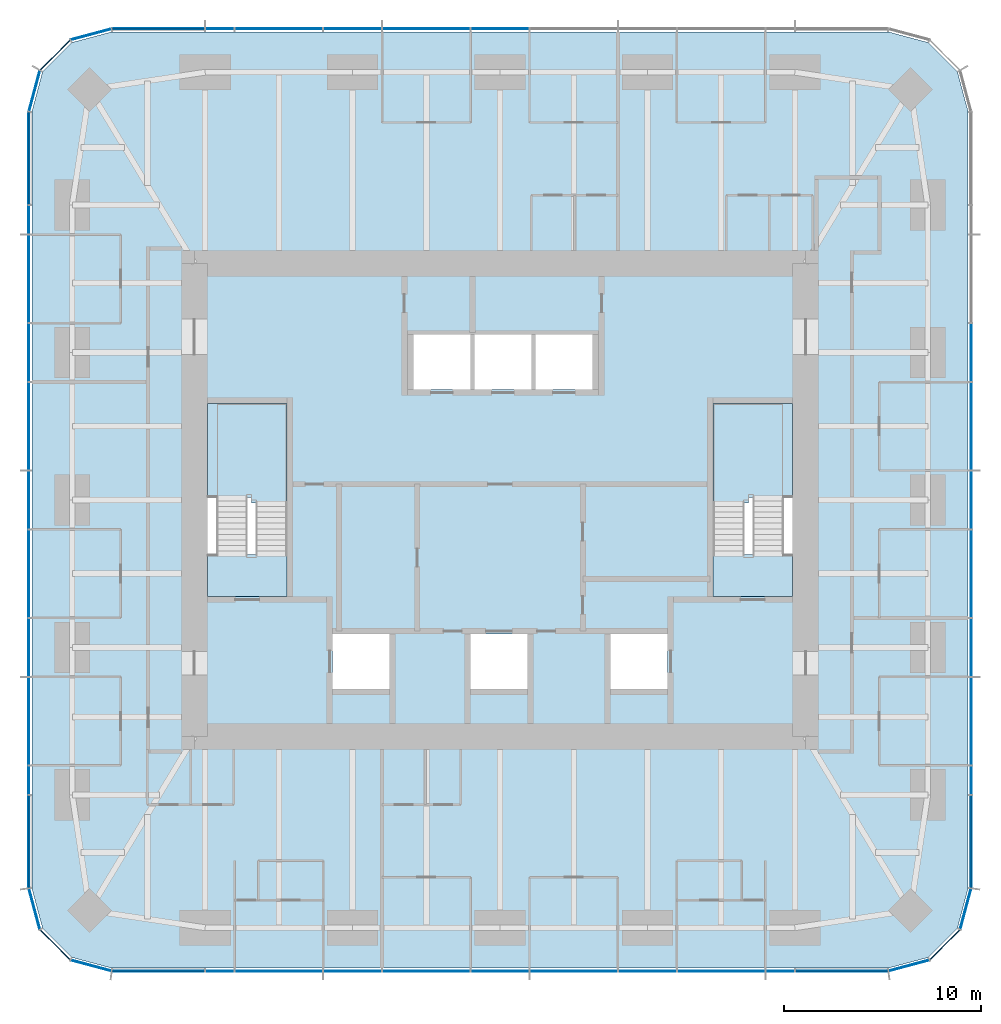
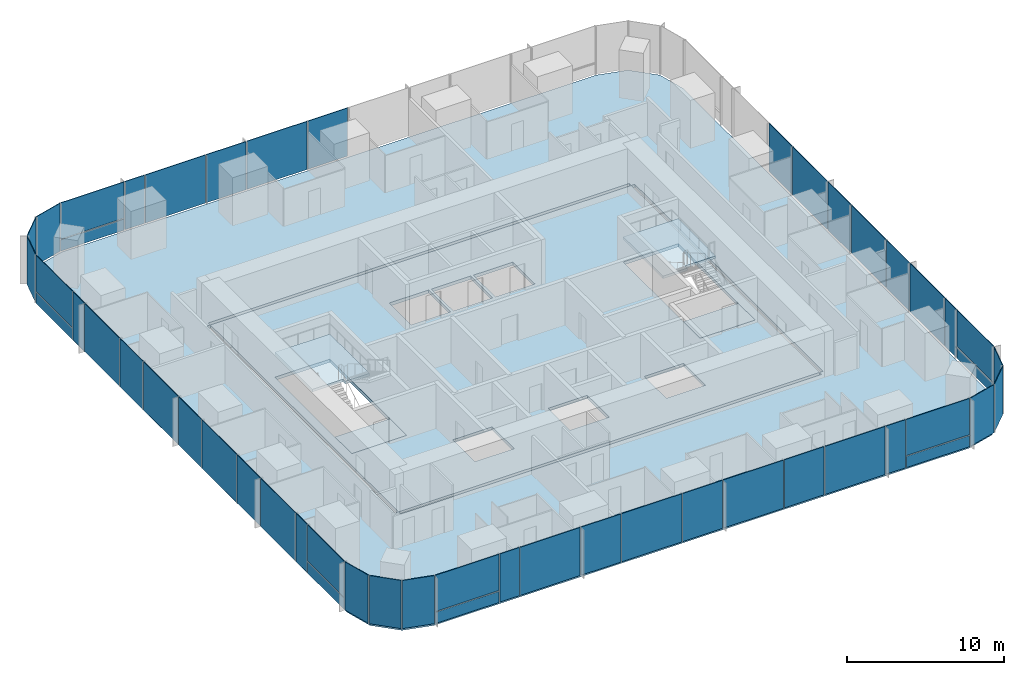
# One storey, part 7 of 12: 51 plates, 6 slabs, 9 elements without a shape of their own.
"""IFC4 building model written with IfcOpenShell, lengths in metres."""

from ifc_helpers import new_model, si_unit, direction, frame, origin, origin_2d, place, context, subcontext, project, spatial, polyline, rectangle, outline, extrude, material, layer, layer_set, type_object, element, aggregate, save


model = new_model("IFC4")

# Units and contexts
model_context = context("Model", 3, precision=1e-05, world=origin(), true_north=direction((0.0, 1.0)))
body_context = subcontext(model_context, "Body", "Model", "MODEL_VIEW")
ifc_project = project(units=[si_unit("LENGTHUNIT", "METRE"), si_unit("AREAUNIT", "SQUARE_METRE"), si_unit("VOLUMEUNIT", "CUBIC_METRE"), si_unit("PLANEANGLEUNIT", "RADIAN"), si_unit("MASSUNIT", "GRAM", prefix="KILO")], contexts=[model_context])

# Site, building, storey
site_placement = place(None, origin())
site = spatial("IfcSite", under=ifc_project, at=site_placement, CompositionType="ELEMENT")
building_placement = place(site_placement, origin())
building = spatial("IfcBuilding", under=site, at=building_placement, Name="Khuree Lantern Residences", CompositionType="ELEMENT")
storey_placement = place(building_placement, frame((0.0, 0.0, 289.5)))
storey = spatial("IfcBuildingStorey", under=building, at=storey_placement, Name="L72", CompositionType="ELEMENT", Elevation=289.5)

# Slab
ifc_material_1 = material(Name="Concrete C35/45", Category="concrete")
ifc_layer_1 = layer(ifc_material_1, 0.25)
ifc_layer_set_1 = layer_set([ifc_layer_1], Name="CFL250 CORE FLOOR SLAB 250")
slab_type_1 = type_object("IfcSlabType", Name="CFL250 CORE FLOOR SLAB 250", PredefinedType="FLOOR", material=ifc_layer_set_1)
slab_1_placement = place(storey_placement, frame((0.0, 0.0, -0.25)))
element("IfcSlab", 1, at=slab_1_placement, inside=storey, type_object=slab_type_1, Name="Core floor L72", PredefinedType="FLOOR", context=body_context, shape_type="SweptSolid", body=[
    extrude(outline(polyline([(-15.5, -12.0), (-15.5, 12.0), (15.5, 12.0), (15.5, -12.0), (-15.5, -12.0)]), holes=[polyline([(10.800048828125, 4.89990234375), (10.800048828125, -4.89990234375), (14.85009765625, -4.89990234375), (14.85009765625, 4.89990234375), (10.800048828125, 4.89990234375)]), polyline([(5.60009765625, -6.800048828125), (5.60009765625, -9.60009765625), (8.5, -9.60009765625), (8.5, -6.800048828125), (5.60009765625, -6.800048828125)]), polyline([(1.800048828125, 8.39990234375), (1.800048828125, 5.60009765625), (4.699951171875, 5.60009765625), (4.699951171875, 8.39990234375), (1.800048828125, 8.39990234375)]), polyline([(-1.300048828125, 8.39990234375), (-1.300048828125, 5.60009765625), (1.60009765625, 5.60009765625), (1.60009765625, 8.39990234375), (-1.300048828125, 8.39990234375)]), polyline([(-1.5, -6.800048828125), (-1.5, -9.60009765625), (1.39990234375, -9.60009765625), (1.39990234375, -6.800048828125), (-1.5, -6.800048828125)]), polyline([(-4.39990234375, 8.39990234375), (-4.39990234375, 5.60009765625), (-1.5, 5.60009765625), (-1.5, 8.39990234375), (-4.39990234375, 8.39990234375)]), polyline([(-8.5, -6.800048828125), (-8.5, -9.60009765625), (-5.60009765625, -9.60009765625), (-5.60009765625, -6.800048828125), (-8.5, -6.800048828125)]), polyline([(-14.85009765625, 4.89990234375), (-14.85009765625, -4.89990234375), (-10.800048828125, -4.89990234375), (-10.800048828125, 4.89990234375), (-14.85009765625, 4.89990234375)])]), origin(), (0.0, 0.0, 1.0), 0.25),
])

# Curtain wall, plates
ifc_material_2 = material(Name="Bronze anodised aluminium", Category="aluminium")
curtain_wall_type_1 = type_object("IfcCurtainWallType", Name="CW-T2 TOWER CORNER CURTAIN WALL", PredefinedType="USERDEFINED", material=ifc_material_2)
curtain_wall_1_placement = place(storey_placement, origin())
curtain_wall_1 = element("IfcCurtainWall", 2, at=curtain_wall_1_placement, inside=storey, type_object=curtain_wall_type_1, Name="L72 SOUTH-EAST CORNER CURTAIN WALL", ObjectType="Faceted corner curtain wall", PredefinedType="USERDEFINED")
ifc_material_3 = material(Name="Bronze tinted triple glazing", Category="glass")
ifc_layer_2 = layer(ifc_material_3, 0.048095703125)
ifc_layer_set_2 = layer_set([ifc_layer_2], Name="FACET PANEL P4")
plate_type_1 = type_object("IfcPlateType", Name="FACET PANEL P4", PredefinedType="CURTAIN_PANEL", material=ifc_layer_set_2)
plate_1_placement = place(storey_placement, frame((20.748046875, -23.619140625, 0.0), z_axis=(0.0, 0.0, 1.0), x_axis=(0.965925861257, 0.2588189146, 0.0)))
plate_1 = element("IfcPlate", 3, at=plate_1_placement, type_object=plate_type_1, Name="L72 SOUTH-EAST CORNER PANEL 1.1", PredefinedType="CURTAIN_PANEL", context=body_context, shape_type="SweptSolid", body=[
    extrude(rectangle(XDim=2.09814453125, YDim=0.048095703125, at=origin_2d()), origin(), (0.0, 0.0, 1.0), 3.75),
])
plate_2_placement = place(storey_placement, frame((22.568603515625, -22.568603515625, 0.0), z_axis=(0.0, 0.0, 1.0), x_axis=(0.707106781187, 0.707106781187, 0.0)))
plate_2 = element("IfcPlate", 4, at=plate_2_placement, type_object=plate_type_1, Name="L72 SOUTH-EAST CORNER PANEL 2.1", PredefinedType="CURTAIN_PANEL", context=body_context, shape_type="SweptSolid", body=[
    extrude(rectangle(XDim=2.093994140625, YDim=0.048095703125, at=origin_2d()), origin(), (0.0, 0.0, 1.0), 3.75),
])
plate_3_placement = place(storey_placement, frame((23.619140625, -20.748046875, 0.0), z_axis=(0.0, 0.0, 1.0), x_axis=(0.2588189146, 0.965925861257, 0.0)))
plate_3 = element("IfcPlate", 5, at=plate_3_placement, type_object=plate_type_1, Name="L72 SOUTH-EAST CORNER PANEL 3.1", PredefinedType="CURTAIN_PANEL", context=body_context, shape_type="SweptSolid", body=[
    extrude(rectangle(XDim=2.09814453125, YDim=0.048095703125, at=origin_2d()), origin(), (0.0, 0.0, 1.0), 3.75),
])
aggregate(curtain_wall_1, [plate_1, plate_2, plate_3])

curtain_wall_2_placement = place(storey_placement, origin())
curtain_wall_2 = element("IfcCurtainWall", 6, at=curtain_wall_2_placement, inside=storey, type_object=curtain_wall_type_1, Name="L72 NORTH-WEST CORNER CURTAIN WALL", ObjectType="Faceted corner curtain wall", PredefinedType="USERDEFINED")
plate_4_placement = place(storey_placement, frame((-20.748046875, 23.619140625, 0.0), z_axis=(0.0, 0.0, 1.0), x_axis=(-0.965925861257, -0.2588189146, 0.0)))
plate_4 = element("IfcPlate", 7, at=plate_4_placement, type_object=plate_type_1, Name="L72 NORTH-WEST CORNER PANEL 29.1", PredefinedType="CURTAIN_PANEL", context=body_context, shape_type="SweptSolid", body=[
    extrude(rectangle(XDim=2.09814453125, YDim=0.048095703125, at=origin_2d()), origin(), (0.0, 0.0, 1.0), 3.75),
])
plate_5_placement = place(storey_placement, frame((-22.568603515625, 22.568603515625, 0.0), z_axis=(0.0, 0.0, 1.0), x_axis=(-0.707106781187, -0.707106781187, 0.0)))
plate_5 = element("IfcPlate", 8, at=plate_5_placement, type_object=plate_type_1, Name="L72 NORTH-WEST CORNER PANEL 30.1", PredefinedType="CURTAIN_PANEL", context=body_context, shape_type="SweptSolid", body=[
    extrude(rectangle(XDim=2.093994140625, YDim=0.048095703125, at=origin_2d()), origin(), (0.0, 0.0, 1.0), 3.75),
])
plate_6_placement = place(storey_placement, frame((-23.619140625, 20.748046875, 0.0), z_axis=(0.0, 0.0, 1.0), x_axis=(-0.2588189146, -0.965925861257, 0.0)))
plate_6 = element("IfcPlate", 9, at=plate_6_placement, type_object=plate_type_1, Name="L72 NORTH-WEST CORNER PANEL 31.1", PredefinedType="CURTAIN_PANEL", context=body_context, shape_type="SweptSolid", body=[
    extrude(rectangle(XDim=2.09814453125, YDim=0.048095703125, at=origin_2d()), origin(), (0.0, 0.0, 1.0), 3.75),
])
aggregate(curtain_wall_2, [plate_4, plate_5, plate_6])

curtain_wall_3_placement = place(storey_placement, origin())
curtain_wall_3 = element("IfcCurtainWall", 10, at=curtain_wall_3_placement, inside=storey, type_object=curtain_wall_type_1, Name="L72 SOUTH-WEST CORNER CURTAIN WALL", ObjectType="Faceted corner curtain wall", PredefinedType="USERDEFINED")
plate_7_placement = place(storey_placement, frame((-23.619140625, -20.748046875, 0.0), z_axis=(0.0, 0.0, 1.0), x_axis=(0.2588189146, -0.965925861257, 0.0)))
plate_7 = element("IfcPlate", 11, at=plate_7_placement, type_object=plate_type_1, Name="L72 SOUTH-WEST CORNER PANEL 43.1", PredefinedType="CURTAIN_PANEL", context=body_context, shape_type="SweptSolid", body=[
    extrude(rectangle(XDim=2.09814453125, YDim=0.048095703125, at=origin_2d()), origin(), (0.0, 0.0, 1.0), 3.75),
])
plate_8_placement = place(storey_placement, frame((-22.568603515625, -22.568603515625, 0.0), z_axis=(0.0, 0.0, 1.0), x_axis=(0.707106781187, -0.707106781187, 0.0)))
plate_8 = element("IfcPlate", 12, at=plate_8_placement, type_object=plate_type_1, Name="L72 SOUTH-WEST CORNER PANEL 44.1", PredefinedType="CURTAIN_PANEL", context=body_context, shape_type="SweptSolid", body=[
    extrude(rectangle(XDim=2.093994140625, YDim=0.048095703125, at=origin_2d()), origin(), (0.0, 0.0, 1.0), 3.75),
])
plate_9_placement = place(storey_placement, frame((-20.748046875, -23.619140625, 0.0), z_axis=(0.0, 0.0, 1.0), x_axis=(0.965925861257, -0.2588189146, 0.0)))
plate_9 = element("IfcPlate", 13, at=plate_9_placement, type_object=plate_type_1, Name="L72 SOUTH-WEST CORNER PANEL 45.1", PredefinedType="CURTAIN_PANEL", context=body_context, shape_type="SweptSolid", body=[
    extrude(rectangle(XDim=2.09814453125, YDim=0.048095703125, at=origin_2d()), origin(), (0.0, 0.0, 1.0), 3.75),
])
aggregate(curtain_wall_3, [plate_7, plate_8, plate_9])

curtain_wall_type_2 = type_object("IfcCurtainWallType", Name="CW-T1 TOWER FACE CURTAIN WALL", PredefinedType="USERDEFINED", material=ifc_material_2)
curtain_wall_4_placement = place(storey_placement, origin())
curtain_wall_4 = element("IfcCurtainWall", 14, at=curtain_wall_4_placement, inside=storey, type_object=curtain_wall_type_2, Name="L72 EAST FACE CURTAIN WALL", ObjectType="Stick-built curtain wall", PredefinedType="USERDEFINED")
ifc_material_4 = material(Name="Bronze tinted triple glazing with a ceramic-fritted spandrel band", Category="glass")
ifc_layer_3 = layer(ifc_material_4, 0.048095703125)
ifc_layer_set_3 = layer_set([ifc_layer_3], Name="FIXED LIGHT PANEL P11")
plate_type_2 = type_object("IfcPlateType", Name="FIXED LIGHT PANEL P11", PredefinedType="CURTAIN_PANEL", material=ifc_layer_set_3)
plate_10_placement = place(storey_placement, frame((23.89990234375, -11.219970703125, 0.0), z_axis=(0.0, 0.0, 1.0), x_axis=(0.0, 1.0, 0.0)))
plate_10 = element("IfcPlate", 15, at=plate_10_placement, type_object=plate_type_2, Name="L72 EAST FACE PANEL 6.1", PredefinedType="CURTAIN_PANEL", context=body_context, shape_type="SweptSolid", body=[
    extrude(rectangle(XDim=4.423095703125, YDim=0.048095703125, at=origin_2d()), origin(), (0.0, 0.0, 1.0), 3.75),
])
plate_11_placement = place(storey_placement, frame((23.89990234375, -3.739990234375, 0.0), z_axis=(0.0, 0.0, 1.0), x_axis=(0.0, 1.0, 0.0)))
plate_11 = element("IfcPlate", 16, at=plate_11_placement, type_object=plate_type_2, Name="L72 EAST FACE PANEL 8.1", PredefinedType="CURTAIN_PANEL", context=body_context, shape_type="SweptSolid", body=[
    extrude(rectangle(XDim=4.423095703125, YDim=0.048095703125, at=origin_2d()), origin(), (0.0, 0.0, 1.0), 3.75),
])
plate_12_placement = place(storey_placement, frame((23.89990234375, 3.739990234375, 0.0), z_axis=(0.0, 0.0, 1.0), x_axis=(0.0, 1.0, 0.0)))
plate_12 = element("IfcPlate", 17, at=plate_12_placement, type_object=plate_type_2, Name="L72 EAST FACE PANEL 10.1", PredefinedType="CURTAIN_PANEL", context=body_context, shape_type="SweptSolid", body=[
    extrude(rectangle(XDim=4.423095703125, YDim=0.048095703125, at=origin_2d()), origin(), (0.0, 0.0, 1.0), 3.75),
])

curtain_wall_5_placement = place(storey_placement, origin())
curtain_wall_5 = element("IfcCurtainWall", 18, at=curtain_wall_5_placement, inside=storey, type_object=curtain_wall_type_2, Name="L72 NORTH FACE CURTAIN WALL", ObjectType="Stick-built curtain wall", PredefinedType="USERDEFINED")
plate_13_placement = place(storey_placement, frame((-3.739990234375, 23.89990234375, 0.0), z_axis=(0.0, 0.0, 1.0), x_axis=(-1.0, 0.0, 0.0)))
plate_13 = element("IfcPlate", 19, at=plate_13_placement, type_object=plate_type_2, Name="L72 NORTH FACE PANEL 24.1", PredefinedType="CURTAIN_PANEL", context=body_context, shape_type="SweptSolid", body=[
    extrude(rectangle(XDim=4.423095703125, YDim=0.048095703125, at=origin_2d()), origin(), (0.0, 0.0, 1.0), 3.75),
])
plate_14_placement = place(storey_placement, frame((-11.219970703125, 23.89990234375, 0.0), z_axis=(0.0, 0.0, 1.0), x_axis=(-1.0, 0.0, 0.0)))
plate_14 = element("IfcPlate", 20, at=plate_14_placement, type_object=plate_type_2, Name="L72 NORTH FACE PANEL 26.1", PredefinedType="CURTAIN_PANEL", context=body_context, shape_type="SweptSolid", body=[
    extrude(rectangle(XDim=4.423095703125, YDim=0.048095703125, at=origin_2d()), origin(), (0.0, 0.0, 1.0), 3.75),
])

curtain_wall_6_placement = place(storey_placement, origin())
curtain_wall_6 = element("IfcCurtainWall", 21, at=curtain_wall_6_placement, inside=storey, type_object=curtain_wall_type_2, Name="L72 WEST FACE CURTAIN WALL", ObjectType="Stick-built curtain wall", PredefinedType="USERDEFINED")
plate_15_placement = place(storey_placement, frame((-23.89990234375, 11.219970703125, 0.0), z_axis=(0.0, 0.0, 1.0), x_axis=(0.0, -1.0, 0.0)))
plate_15 = element("IfcPlate", 22, at=plate_15_placement, type_object=plate_type_2, Name="L72 WEST FACE PANEL 34.1", PredefinedType="CURTAIN_PANEL", context=body_context, shape_type="SweptSolid", body=[
    extrude(rectangle(XDim=4.423095703125, YDim=0.048095703125, at=origin_2d()), origin(), (0.0, 0.0, 1.0), 3.75),
])
plate_16_placement = place(storey_placement, frame((-23.89990234375, 3.739990234375, 0.0), z_axis=(0.0, 0.0, 1.0), x_axis=(0.0, -1.0, 0.0)))
plate_16 = element("IfcPlate", 23, at=plate_16_placement, type_object=plate_type_2, Name="L72 WEST FACE PANEL 36.1", PredefinedType="CURTAIN_PANEL", context=body_context, shape_type="SweptSolid", body=[
    extrude(rectangle(XDim=4.423095703125, YDim=0.048095703125, at=origin_2d()), origin(), (0.0, 0.0, 1.0), 3.75),
])
plate_17_placement = place(storey_placement, frame((-23.89990234375, -3.739990234375, 0.0), z_axis=(0.0, 0.0, 1.0), x_axis=(0.0, -1.0, 0.0)))
plate_17 = element("IfcPlate", 24, at=plate_17_placement, type_object=plate_type_2, Name="L72 WEST FACE PANEL 38.1", PredefinedType="CURTAIN_PANEL", context=body_context, shape_type="SweptSolid", body=[
    extrude(rectangle(XDim=4.423095703125, YDim=0.048095703125, at=origin_2d()), origin(), (0.0, 0.0, 1.0), 3.75),
])
plate_18_placement = place(storey_placement, frame((-23.89990234375, -11.219970703125, 0.0), z_axis=(0.0, 0.0, 1.0), x_axis=(0.0, -1.0, 0.0)))
plate_18 = element("IfcPlate", 25, at=plate_18_placement, type_object=plate_type_2, Name="L72 WEST FACE PANEL 40.1", PredefinedType="CURTAIN_PANEL", context=body_context, shape_type="SweptSolid", body=[
    extrude(rectangle(XDim=4.423095703125, YDim=0.048095703125, at=origin_2d()), origin(), (0.0, 0.0, 1.0), 3.75),
])

curtain_wall_7_placement = place(storey_placement, origin())
curtain_wall_7 = element("IfcCurtainWall", 26, at=curtain_wall_7_placement, inside=storey, type_object=curtain_wall_type_2, Name="L72 SOUTH FACE CURTAIN WALL", ObjectType="Stick-built curtain wall", PredefinedType="USERDEFINED")
plate_19_placement = place(storey_placement, frame((-11.219970703125, -23.89990234375, 0.0), z_axis=(0.0, 0.0, 1.0), x_axis=(1.0, 0.0, 0.0)))
plate_19 = element("IfcPlate", 27, at=plate_19_placement, type_object=plate_type_2, Name="L72 SOUTH FACE PANEL 48.1", PredefinedType="CURTAIN_PANEL", context=body_context, shape_type="SweptSolid", body=[
    extrude(rectangle(XDim=4.423095703125, YDim=0.048095703125, at=origin_2d()), origin(), (0.0, 0.0, 1.0), 3.75),
])
plate_20_placement = place(storey_placement, frame((-3.739990234375, -23.89990234375, 0.0), z_axis=(0.0, 0.0, 1.0), x_axis=(1.0, 0.0, 0.0)))
plate_20 = element("IfcPlate", 28, at=plate_20_placement, type_object=plate_type_2, Name="L72 SOUTH FACE PANEL 50.1", PredefinedType="CURTAIN_PANEL", context=body_context, shape_type="SweptSolid", body=[
    extrude(rectangle(XDim=4.423095703125, YDim=0.048095703125, at=origin_2d()), origin(), (0.0, 0.0, 1.0), 3.75),
])
plate_21_placement = place(storey_placement, frame((3.739990234375, -23.89990234375, 0.0), z_axis=(0.0, 0.0, 1.0), x_axis=(1.0, 0.0, 0.0)))
plate_21 = element("IfcPlate", 29, at=plate_21_placement, type_object=plate_type_2, Name="L72 SOUTH FACE PANEL 52.1", PredefinedType="CURTAIN_PANEL", context=body_context, shape_type="SweptSolid", body=[
    extrude(rectangle(XDim=4.423095703125, YDim=0.048095703125, at=origin_2d()), origin(), (0.0, 0.0, 1.0), 3.75),
])
plate_22_placement = place(storey_placement, frame((11.219970703125, -23.89990234375, 0.0), z_axis=(0.0, 0.0, 1.0), x_axis=(1.0, 0.0, 0.0)))
plate_22 = element("IfcPlate", 30, at=plate_22_placement, type_object=plate_type_2, Name="L72 SOUTH FACE PANEL 54.1", PredefinedType="CURTAIN_PANEL", context=body_context, shape_type="SweptSolid", body=[
    extrude(rectangle(XDim=4.423095703125, YDim=0.048095703125, at=origin_2d()), origin(), (0.0, 0.0, 1.0), 3.75),
])

# Slab
ifc_layer_4 = layer(ifc_material_1, 0.25)
ifc_layer_set_4 = layer_set([ifc_layer_4], Name="FS250 FLOOR SLAB 250")
slab_type_2 = type_object("IfcSlabType", Name="FS250 FLOOR SLAB 250", PredefinedType="FLOOR", material=ifc_layer_set_4)
slab_2_placement = place(storey_placement, frame((0.0, 0.0, -0.25)))
element("IfcSlab", 31, at=slab_2_placement, inside=storey, type_object=slab_type_2, Name="Floor slab L72", PredefinedType="FLOOR", context=body_context, shape_type="SweptSolid", body=[
    extrude(outline(polyline([(-21.72509765625, -23.20751953125), (-23.20751953125, -21.72509765625), (-23.75, -19.699951171875), (-23.75, 19.699951171875), (-23.20751953125, 21.72509765625), (-21.72509765625, 23.20751953125), (-19.699951171875, 23.75), (19.699951171875, 23.75), (21.72509765625, 23.20751953125), (23.20751953125, 21.72509765625), (23.75, 19.699951171875), (23.75, -19.699951171875), (23.20751953125, -21.72509765625), (21.72509765625, -23.20751953125), (19.699951171875, -23.75), (-19.699951171875, -23.75), (-21.72509765625, -23.20751953125)]), holes=[polyline([(15.75, 12.0), (15.5, 12.0), (15.5, 12.25), (-15.5, 12.25), (-15.5, 12.0), (-15.75, 12.0), (-15.75, -12.0), (-15.5, -12.0), (-15.5, -12.25), (15.5, -12.25), (15.5, -12.0), (15.75, -12.0), (15.75, 12.0)])]), origin(), (0.0, 0.0, 1.0), 0.25),
])

# Plate
ifc_material_5 = material(Name="Bronze tinted triple glazing, two aluminium-framed sashes in one frame", Category="aluminium")
ifc_layer_5 = layer(ifc_material_5, 0.048095703125)
ifc_layer_set_5 = layer_set([ifc_layer_5], Name="SASH PAIR PANEL P12")
plate_type_3 = type_object("IfcPlateType", Name="SASH PAIR PANEL P12", PredefinedType="CURTAIN_PANEL", material=ifc_layer_set_5)
plate_23_placement = place(storey_placement, frame((23.89990234375, -7.47998046875, 0.0), z_axis=(0.0, 0.0, 1.0), x_axis=(0.0, 1.0, 0.0)))
plate_23 = element("IfcPlate", 32, at=plate_23_placement, type_object=plate_type_3, Name="L72 EAST FACE PANEL 7.1", PredefinedType="CURTAIN_PANEL", context=body_context, shape_type="SweptSolid", body=[
    extrude(rectangle(XDim=2.927001953125, YDim=0.048095703125, at=origin_2d()), origin(), (0.0, 0.0, 1.0), 3.75),
])

plate_24_placement = place(storey_placement, frame((23.89990234375, 0.0, 0.0), z_axis=(0.0, 0.0, 1.0), x_axis=(0.0, 1.0, 0.0)))
plate_24 = element("IfcPlate", 33, at=plate_24_placement, type_object=plate_type_3, Name="L72 EAST FACE PANEL 9.1", PredefinedType="CURTAIN_PANEL", context=body_context, shape_type="SweptSolid", body=[
    extrude(rectangle(XDim=2.927001953125, YDim=0.048095703125, at=origin_2d()), origin(), (0.0, 0.0, 1.0), 3.75),
])

plate_25_placement = place(storey_placement, frame((23.89990234375, 7.47998046875, 0.0), z_axis=(0.0, 0.0, 1.0), x_axis=(0.0, 1.0, 0.0)))
plate_25 = element("IfcPlate", 34, at=plate_25_placement, type_object=plate_type_3, Name="L72 EAST FACE PANEL 11.1", PredefinedType="CURTAIN_PANEL", context=body_context, shape_type="SweptSolid", body=[
    extrude(rectangle(XDim=2.927001953125, YDim=0.048095703125, at=origin_2d()), origin(), (0.0, 0.0, 1.0), 3.75),
])

plate_26_placement = place(storey_placement, frame((0.0, 23.89990234375, 0.0), z_axis=(0.0, 0.0, 1.0), x_axis=(-1.0, 0.0, 0.0)))
plate_26 = element("IfcPlate", 35, at=plate_26_placement, type_object=plate_type_3, Name="L72 NORTH FACE PANEL 23.1", PredefinedType="CURTAIN_PANEL", context=body_context, shape_type="SweptSolid", body=[
    extrude(rectangle(XDim=2.927001953125, YDim=0.048095703125, at=origin_2d()), origin(), (0.0, 0.0, 1.0), 3.75),
])

plate_27_placement = place(storey_placement, frame((-7.47998046875, 23.89990234375, 0.0), z_axis=(0.0, 0.0, 1.0), x_axis=(-1.0, 0.0, 0.0)))
plate_27 = element("IfcPlate", 36, at=plate_27_placement, type_object=plate_type_3, Name="L72 NORTH FACE PANEL 25.1", PredefinedType="CURTAIN_PANEL", context=body_context, shape_type="SweptSolid", body=[
    extrude(rectangle(XDim=2.927001953125, YDim=0.048095703125, at=origin_2d()), origin(), (0.0, 0.0, 1.0), 3.75),
])

plate_28_placement = place(storey_placement, frame((-23.89990234375, 7.47998046875, 0.0), z_axis=(0.0, 0.0, 1.0), x_axis=(0.0, -1.0, 0.0)))
plate_28 = element("IfcPlate", 37, at=plate_28_placement, type_object=plate_type_3, Name="L72 WEST FACE PANEL 35.1", PredefinedType="CURTAIN_PANEL", context=body_context, shape_type="SweptSolid", body=[
    extrude(rectangle(XDim=2.927001953125, YDim=0.048095703125, at=origin_2d()), origin(), (0.0, 0.0, 1.0), 3.75),
])

plate_29_placement = place(storey_placement, frame((-23.89990234375, 0.0, 0.0), z_axis=(0.0, 0.0, 1.0), x_axis=(0.0, -1.0, 0.0)))
plate_29 = element("IfcPlate", 38, at=plate_29_placement, type_object=plate_type_3, Name="L72 WEST FACE PANEL 37.1", PredefinedType="CURTAIN_PANEL", context=body_context, shape_type="SweptSolid", body=[
    extrude(rectangle(XDim=2.927001953125, YDim=0.048095703125, at=origin_2d()), origin(), (0.0, 0.0, 1.0), 3.75),
])

plate_30_placement = place(storey_placement, frame((-23.89990234375, -7.47998046875, 0.0), z_axis=(0.0, 0.0, 1.0), x_axis=(0.0, -1.0, 0.0)))
plate_30 = element("IfcPlate", 39, at=plate_30_placement, type_object=plate_type_3, Name="L72 WEST FACE PANEL 39.1", PredefinedType="CURTAIN_PANEL", context=body_context, shape_type="SweptSolid", body=[
    extrude(rectangle(XDim=2.927001953125, YDim=0.048095703125, at=origin_2d()), origin(), (0.0, 0.0, 1.0), 3.75),
])

plate_31_placement = place(storey_placement, frame((-7.47998046875, -23.89990234375, 0.0), z_axis=(0.0, 0.0, 1.0), x_axis=(1.0, 0.0, 0.0)))
plate_31 = element("IfcPlate", 40, at=plate_31_placement, type_object=plate_type_3, Name="L72 SOUTH FACE PANEL 49.1", PredefinedType="CURTAIN_PANEL", context=body_context, shape_type="SweptSolid", body=[
    extrude(rectangle(XDim=2.927001953125, YDim=0.048095703125, at=origin_2d()), origin(), (0.0, 0.0, 1.0), 3.75),
])

plate_32_placement = place(storey_placement, frame((0.0, -23.89990234375, 0.0), z_axis=(0.0, 0.0, 1.0), x_axis=(1.0, 0.0, 0.0)))
plate_32 = element("IfcPlate", 41, at=plate_32_placement, type_object=plate_type_3, Name="L72 SOUTH FACE PANEL 51.1", PredefinedType="CURTAIN_PANEL", context=body_context, shape_type="SweptSolid", body=[
    extrude(rectangle(XDim=2.927001953125, YDim=0.048095703125, at=origin_2d()), origin(), (0.0, 0.0, 1.0), 3.75),
])

plate_33_placement = place(storey_placement, frame((7.47998046875, -23.89990234375, 0.0), z_axis=(0.0, 0.0, 1.0), x_axis=(1.0, 0.0, 0.0)))
plate_33 = element("IfcPlate", 42, at=plate_33_placement, type_object=plate_type_3, Name="L72 SOUTH FACE PANEL 53.1", PredefinedType="CURTAIN_PANEL", context=body_context, shape_type="SweptSolid", body=[
    extrude(rectangle(XDim=2.927001953125, YDim=0.048095703125, at=origin_2d()), origin(), (0.0, 0.0, 1.0), 3.75),
])

ifc_material_6 = material(Name="Bronze tinted triple glazing, aluminium-framed sash", Category="aluminium")
ifc_layer_6 = layer(ifc_material_6, 0.048095703125)
ifc_layer_set_6 = layer_set([ifc_layer_6], Name="SASH PANEL P3")
plate_type_4 = type_object("IfcPlateType", Name="SASH PANEL P3", PredefinedType="CURTAIN_PANEL", material=ifc_layer_set_6)
plate_34_placement = place(storey_placement, frame((23.89990234375, -14.2119140625, 0.0), z_axis=(0.0, 0.0, 1.0), x_axis=(0.0, 1.0, 0.0)))
plate_34 = element("IfcPlate", 43, at=plate_34_placement, type_object=plate_type_4, Name="L72 EAST FACE PANEL 5.1", PredefinedType="CURTAIN_PANEL", context=body_context, shape_type="SweptSolid", body=[
    extrude(rectangle(XDim=1.430908203125, YDim=0.048095703125, at=origin_2d()), origin(), (0.0, 0.0, 1.0), 3.75),
])

plate_35_placement = place(storey_placement, frame((-14.2119140625, 23.89990234375, 0.0), z_axis=(0.0, 0.0, 1.0), x_axis=(-1.0, 0.0, 0.0)))
plate_35 = element("IfcPlate", 44, at=plate_35_placement, type_object=plate_type_4, Name="L72 NORTH FACE PANEL 27.1", PredefinedType="CURTAIN_PANEL", context=body_context, shape_type="SweptSolid", body=[
    extrude(rectangle(XDim=1.430908203125, YDim=0.048095703125, at=origin_2d()), origin(), (0.0, 0.0, 1.0), 3.75),
])

plate_36_placement = place(storey_placement, frame((-23.89990234375, 14.2119140625, 0.0), z_axis=(0.0, 0.0, 1.0), x_axis=(0.0, -1.0, 0.0)))
plate_36 = element("IfcPlate", 45, at=plate_36_placement, type_object=plate_type_4, Name="L72 WEST FACE PANEL 33.1", PredefinedType="CURTAIN_PANEL", context=body_context, shape_type="SweptSolid", body=[
    extrude(rectangle(XDim=1.430908203125, YDim=0.048095703125, at=origin_2d()), origin(), (0.0, 0.0, 1.0), 3.75),
])

plate_37_placement = place(storey_placement, frame((-23.89990234375, -14.2119140625, 0.0), z_axis=(0.0, 0.0, 1.0), x_axis=(0.0, -1.0, 0.0)))
plate_37 = element("IfcPlate", 46, at=plate_37_placement, type_object=plate_type_4, Name="L72 WEST FACE PANEL 41.1", PredefinedType="CURTAIN_PANEL", context=body_context, shape_type="SweptSolid", body=[
    extrude(rectangle(XDim=1.430908203125, YDim=0.048095703125, at=origin_2d()), origin(), (0.0, 0.0, 1.0), 3.75),
])

plate_38_placement = place(storey_placement, frame((-14.2119140625, -23.89990234375, 0.0), z_axis=(0.0, 0.0, 1.0), x_axis=(1.0, 0.0, 0.0)))
plate_38 = element("IfcPlate", 47, at=plate_38_placement, type_object=plate_type_4, Name="L72 SOUTH FACE PANEL 47.1", PredefinedType="CURTAIN_PANEL", context=body_context, shape_type="SweptSolid", body=[
    extrude(rectangle(XDim=1.430908203125, YDim=0.048095703125, at=origin_2d()), origin(), (0.0, 0.0, 1.0), 3.75),
])

plate_39_placement = place(storey_placement, frame((14.2119140625, -23.89990234375, 0.0), z_axis=(0.0, 0.0, 1.0), x_axis=(1.0, 0.0, 0.0)))
plate_39 = element("IfcPlate", 48, at=plate_39_placement, type_object=plate_type_4, Name="L72 SOUTH FACE PANEL 55.1", PredefinedType="CURTAIN_PANEL", context=body_context, shape_type="SweptSolid", body=[
    extrude(rectangle(XDim=1.430908203125, YDim=0.048095703125, at=origin_2d()), origin(), (0.0, 0.0, 1.0), 3.75),
])

ifc_material_7 = material(Name="Bronze anodised aluminium insulated spandrel", Category="aluminium")
ifc_layer_7 = layer(ifc_material_7, 0.06005859375)
ifc_layer_set_7 = layer_set([ifc_layer_7], Name="SPANDREL PANEL P2")
plate_type_5 = type_object("IfcPlateType", Name="SPANDREL PANEL P2", PredefinedType="CURTAIN_PANEL", material=ifc_layer_set_7)
plate_40_placement = place(storey_placement, frame((23.89990234375, -17.327880859375, 0.0), z_axis=(0.0, 0.0, 1.0), x_axis=(0.0, 1.0, 0.0)))
plate_40 = element("IfcPlate", 49, at=plate_40_placement, type_object=plate_type_5, Name="L72 EAST FACE PANEL 4.1", PredefinedType="CURTAIN_PANEL", context=body_context, shape_type="SweptSolid", body=[
    extrude(rectangle(XDim=4.670654296875, YDim=0.06005859375, at=origin_2d()), origin(), (0.0, 0.0, 1.0), 0.867431640625),
])

plate_41_placement = place(storey_placement, frame((-17.327880859375, 23.89990234375, 0.0), z_axis=(0.0, 0.0, 1.0), x_axis=(-1.0, 0.0, 0.0)))
plate_41 = element("IfcPlate", 50, at=plate_41_placement, type_object=plate_type_5, Name="L72 NORTH FACE PANEL 28.1", PredefinedType="CURTAIN_PANEL", context=body_context, shape_type="SweptSolid", body=[
    extrude(rectangle(XDim=4.670654296875, YDim=0.06005859375, at=origin_2d()), origin(), (0.0, 0.0, 1.0), 0.867431640625),
])

plate_42_placement = place(storey_placement, frame((-23.89990234375, 17.327880859375, 0.0), z_axis=(0.0, 0.0, 1.0), x_axis=(0.0, -1.0, 0.0)))
plate_42 = element("IfcPlate", 51, at=plate_42_placement, type_object=plate_type_5, Name="L72 WEST FACE PANEL 32.1", PredefinedType="CURTAIN_PANEL", context=body_context, shape_type="SweptSolid", body=[
    extrude(rectangle(XDim=4.670654296875, YDim=0.06005859375, at=origin_2d()), origin(), (0.0, 0.0, 1.0), 0.867431640625),
])

plate_43_placement = place(storey_placement, frame((-23.89990234375, -17.327880859375, 0.0), z_axis=(0.0, 0.0, 1.0), x_axis=(0.0, -1.0, 0.0)))
plate_43 = element("IfcPlate", 52, at=plate_43_placement, type_object=plate_type_5, Name="L72 WEST FACE PANEL 42.1", PredefinedType="CURTAIN_PANEL", context=body_context, shape_type="SweptSolid", body=[
    extrude(rectangle(XDim=4.670654296875, YDim=0.06005859375, at=origin_2d()), origin(), (0.0, 0.0, 1.0), 0.867431640625),
])

plate_44_placement = place(storey_placement, frame((-17.327880859375, -23.89990234375, 0.0), z_axis=(0.0, 0.0, 1.0), x_axis=(1.0, 0.0, 0.0)))
plate_44 = element("IfcPlate", 53, at=plate_44_placement, type_object=plate_type_5, Name="L72 SOUTH FACE PANEL 46.1", PredefinedType="CURTAIN_PANEL", context=body_context, shape_type="SweptSolid", body=[
    extrude(rectangle(XDim=4.670654296875, YDim=0.06005859375, at=origin_2d()), origin(), (0.0, 0.0, 1.0), 0.867431640625),
])

plate_45_placement = place(storey_placement, frame((17.327880859375, -23.89990234375, 0.0), z_axis=(0.0, 0.0, 1.0), x_axis=(1.0, 0.0, 0.0)))
plate_45 = element("IfcPlate", 54, at=plate_45_placement, type_object=plate_type_5, Name="L72 SOUTH FACE PANEL 56.1", PredefinedType="CURTAIN_PANEL", context=body_context, shape_type="SweptSolid", body=[
    extrude(rectangle(XDim=4.670654296875, YDim=0.06005859375, at=origin_2d()), origin(), (0.0, 0.0, 1.0), 0.867431640625),
])

# Stair, slabs
ifc_material_8 = material(Name="Concrete C40/50", Category="concrete")
stair_type = type_object("IfcStairType", Name="STAIR ST1 HALF TURN 3600", PredefinedType="HALF_TURN_STAIR", material=ifc_material_8)
stair_1_placement = place(storey_placement, origin())
stair_1 = element("IfcStair", 55, at=stair_1_placement, inside=storey, type_object=stair_type, Name="Stair ST1", PredefinedType="HALF_TURN_STAIR")
ifc_layer_8 = layer(ifc_material_8, 0.199951171875)
ifc_layer_set_8 = layer_set([ifc_layer_8], Name="STAIR LANDING SL1 200")
slab_type_3 = type_object("IfcSlabType", Name="STAIR LANDING SL1 200", PredefinedType="LANDING", material=ifc_layer_set_8)
slab_3_placement = place(storey_placement, frame((0.0, 0.0, -0.199951171875)))
slab_3 = element("IfcSlab", 56, at=slab_3_placement, type_object=slab_type_3, Name="ST1 landing 1", PredefinedType="LANDING", context=body_context, shape_type="SweptSolid", body=[
    extrude(outline(polyline([(-14.85009765625, -4.89990234375), (-10.800048828125, -4.89990234375), (-10.800048828125, -2.760009765625), (-14.85009765625, -2.760009765625), (-14.85009765625, -4.89990234375)])), origin(), (0.0, 0.0, 1.0), 0.199951171875),
])
slab_4_placement = place(storey_placement, frame((0.0, 0.0, 1.756591796875)))
slab_4 = element("IfcSlab", 57, at=slab_4_placement, type_object=slab_type_3, Name="ST1 landing 2", PredefinedType="LANDING", context=body_context, shape_type="SweptSolid", body=[
    extrude(outline(polyline([(-14.85009765625, 0.1201171875), (-14.85009765625, 4.89990234375), (-10.800048828125, 4.89990234375), (-10.800048828125, -0.159912109375), (-12.60009765625, -0.159912109375), (-12.60009765625, 0.1201171875), (-14.85009765625, 0.1201171875)])), origin(), (0.0, 0.0, 1.0), 0.199951171875),
])
aggregate(stair_1, [slab_3, slab_4])

stair_2_placement = place(storey_placement, origin())
stair_2 = element("IfcStair", 58, at=stair_2_placement, inside=storey, type_object=stair_type, Name="Stair ST2", PredefinedType="HALF_TURN_STAIR")
slab_5_placement = place(storey_placement, frame((0.0, 0.0, -0.199951171875)))
slab_5 = element("IfcSlab", 59, at=slab_5_placement, type_object=slab_type_3, Name="ST2 landing 1", PredefinedType="LANDING", context=body_context, shape_type="SweptSolid", body=[
    extrude(outline(polyline([(10.800048828125, -4.89990234375), (14.85009765625, -4.89990234375), (14.85009765625, -2.760009765625), (10.800048828125, -2.760009765625), (10.800048828125, -4.89990234375)])), origin(), (0.0, 0.0, 1.0), 0.199951171875),
])
slab_6_placement = place(storey_placement, frame((0.0, 0.0, 1.756591796875)))
slab_6 = element("IfcSlab", 60, at=slab_6_placement, type_object=slab_type_3, Name="ST2 landing 2", PredefinedType="LANDING", context=body_context, shape_type="SweptSolid", body=[
    extrude(outline(polyline([(14.85009765625, 4.89990234375), (14.85009765625, 0.1201171875), (12.60009765625, 0.1201171875), (12.60009765625, -0.159912109375), (10.800048828125, -0.159912109375), (10.800048828125, 4.89990234375), (14.85009765625, 4.89990234375)])), origin(), (0.0, 0.0, 1.0), 0.199951171875),
])
aggregate(stair_2, [slab_5, slab_6])

# Plate
ifc_layer_9 = layer(ifc_material_3, 0.048095703125)
ifc_layer_set_9 = layer_set([ifc_layer_9], Name="VISION PANEL P1")
plate_type_6 = type_object("IfcPlateType", Name="VISION PANEL P1", PredefinedType="CURTAIN_PANEL", material=ifc_layer_set_9)
plate_46_placement = place(storey_placement, frame((23.89990234375, -17.328369140625, 0.9326171875), z_axis=(0.0, 0.0, 1.0), x_axis=(0.0, 1.0, 0.0)))
plate_46 = element("IfcPlate", 61, at=plate_46_placement, type_object=plate_type_6, Name="L72 EAST FACE PANEL 4.2", PredefinedType="CURTAIN_PANEL", context=body_context, shape_type="SweptSolid", body=[
    extrude(rectangle(XDim=4.671630859375, YDim=0.048095703125, at=origin_2d()), origin(), (0.0, 0.0, 1.0), 2.8173828125),
])

aggregate(curtain_wall_4, [plate_40, plate_46, plate_34, plate_10, plate_23, plate_11, plate_24, plate_12, plate_25])

plate_47_placement = place(storey_placement, frame((-17.328369140625, 23.89990234375, 0.9326171875), z_axis=(0.0, 0.0, 1.0), x_axis=(-1.0, 0.0, 0.0)))
plate_47 = element("IfcPlate", 62, at=plate_47_placement, type_object=plate_type_6, Name="L72 NORTH FACE PANEL 28.2", PredefinedType="CURTAIN_PANEL", context=body_context, shape_type="SweptSolid", body=[
    extrude(rectangle(XDim=4.671630859375, YDim=0.048095703125, at=origin_2d()), origin(), (0.0, 0.0, 1.0), 2.8173828125),
])

aggregate(curtain_wall_5, [plate_26, plate_13, plate_27, plate_14, plate_35, plate_41, plate_47])

plate_48_placement = place(storey_placement, frame((-23.89990234375, 17.328369140625, 0.9326171875), z_axis=(0.0, 0.0, 1.0), x_axis=(0.0, -1.0, 0.0)))
plate_48 = element("IfcPlate", 63, at=plate_48_placement, type_object=plate_type_6, Name="L72 WEST FACE PANEL 32.2", PredefinedType="CURTAIN_PANEL", context=body_context, shape_type="SweptSolid", body=[
    extrude(rectangle(XDim=4.671630859375, YDim=0.048095703125, at=origin_2d()), origin(), (0.0, 0.0, 1.0), 2.8173828125),
])

plate_49_placement = place(storey_placement, frame((-23.89990234375, -17.328369140625, 0.9326171875), z_axis=(0.0, 0.0, 1.0), x_axis=(0.0, -1.0, 0.0)))
plate_49 = element("IfcPlate", 64, at=plate_49_placement, type_object=plate_type_6, Name="L72 WEST FACE PANEL 42.2", PredefinedType="CURTAIN_PANEL", context=body_context, shape_type="SweptSolid", body=[
    extrude(rectangle(XDim=4.671630859375, YDim=0.048095703125, at=origin_2d()), origin(), (0.0, 0.0, 1.0), 2.8173828125),
])

aggregate(curtain_wall_6, [plate_42, plate_48, plate_36, plate_15, plate_28, plate_16, plate_29, plate_17, plate_30, plate_18, plate_37, plate_43, plate_49])

plate_50_placement = place(storey_placement, frame((-17.328369140625, -23.89990234375, 0.9326171875), z_axis=(0.0, 0.0, 1.0), x_axis=(1.0, 0.0, 0.0)))
plate_50 = element("IfcPlate", 65, at=plate_50_placement, type_object=plate_type_6, Name="L72 SOUTH FACE PANEL 46.2", PredefinedType="CURTAIN_PANEL", context=body_context, shape_type="SweptSolid", body=[
    extrude(rectangle(XDim=4.671630859375, YDim=0.048095703125, at=origin_2d()), origin(), (0.0, 0.0, 1.0), 2.8173828125),
])

plate_51_placement = place(storey_placement, frame((17.328369140625, -23.89990234375, 0.9326171875), z_axis=(0.0, 0.0, 1.0), x_axis=(1.0, 0.0, 0.0)))
plate_51 = element("IfcPlate", 66, at=plate_51_placement, type_object=plate_type_6, Name="L72 SOUTH FACE PANEL 56.2", PredefinedType="CURTAIN_PANEL", context=body_context, shape_type="SweptSolid", body=[
    extrude(rectangle(XDim=4.671630859375, YDim=0.048095703125, at=origin_2d()), origin(), (0.0, 0.0, 1.0), 2.8173828125),
])

aggregate(curtain_wall_7, [plate_44, plate_50, plate_38, plate_19, plate_31, plate_20, plate_32, plate_21, plate_33, plate_22, plate_39, plate_45, plate_51])

save(model, "model.ifc")
